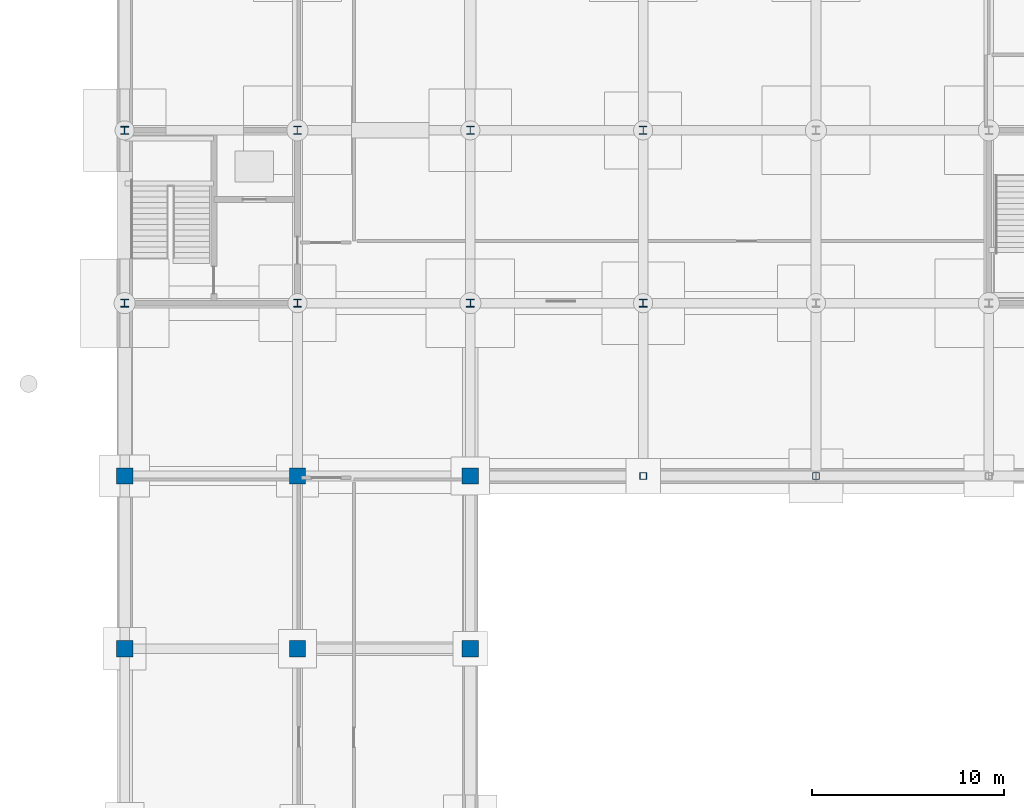
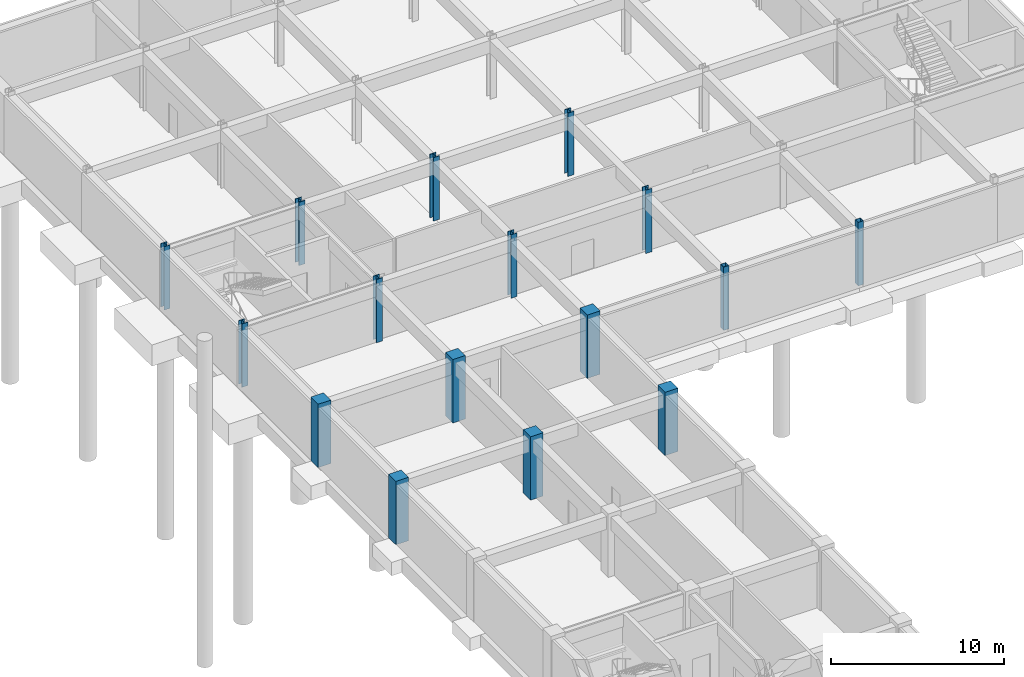
# One storey, part 9 of 41: 16 columns.
"""IFC4 building model written with IfcOpenShell, lengths in metres."""

from ifc_helpers import new_model, si_unit, direction, frame, origin, origin_2d, place, context, subcontext, project, spatial, rectangle, hollow_rectangle, i_section, extrude, material, material_profile, profile_set, type_object, element, save


model = new_model("IFC4")

# Units and contexts
model_context = context("Model", 3, precision=1e-05, world=origin(), true_north=direction((0.0, 1.0)))
body_context = subcontext(model_context, "Body", "Model", "MODEL_VIEW")
ifc_project = project(units=[si_unit("LENGTHUNIT", "METRE"), si_unit("AREAUNIT", "SQUARE_METRE"), si_unit("VOLUMEUNIT", "CUBIC_METRE"), si_unit("PLANEANGLEUNIT", "RADIAN"), si_unit("MASSUNIT", "GRAM", prefix="KILO")], contexts=[model_context])

# Site, building, storey
site_placement = place(None, origin())
site = spatial("IfcSite", under=ifc_project, at=site_placement, CompositionType="ELEMENT")
building_placement = place(site_placement, origin())
building = spatial("IfcBuilding", under=site, at=building_placement, Name="Palais des Congres Ocreval", CompositionType="ELEMENT")
storey_placement = place(building_placement, frame((0.0, 0.0, -8.9599609375)))
storey = spatial("IfcBuildingStorey", under=building, at=storey_placement, Name="B2", CompositionType="ELEMENT", Elevation=-8.9599609375)

# Columns
ifc_material_1 = material(Name="Steel S355", Category="steel")
ifc_material_profile_1 = material_profile(ifc_material_1, i_section(OverallWidth=0.406005859375, OverallDepth=0.416015625, WebThickness=0.0224609375, FlangeThickness=0.0380859375, at=origin_2d()), Name="HD 400x382")
ifc_profile_set_1 = profile_set([ifc_material_profile_1], Name="Steel S355")
column_type_1 = type_object("IfcColumnType", Name="Column HD 400x382 Steel S355", PredefinedType="COLUMN", material=ifc_profile_set_1)
for number, where, z_axis, x_axis, name in (
    (1, (0.0, 81.0, 0.0), (0.0, 0.0, 1.0), (1.0, 0.0, 0.0), "Column C03 B2"),
    (2, (0.0, 90.0, 0.0), (0.0, 0.0, 1.0), (1.0, 0.0, 0.0), "Column C03 B2"),
    (3, (9.0, 81.0, 0.0), (0.0, 0.0, 1.0), (1.0, 0.0, 0.0), "Column C03 B2"),
    (4, (18.0, 81.0, 0.0), (0.0, 0.0, 1.0), (1.0, 0.0, 0.0), "Column C03 B2"),
    (5, (27.0, 81.0, 0.0), (0.0, 0.0, 1.0), (1.0, 0.0, 0.0), "Column C03 B2"),
):
    element("IfcColumn", number, at=place(storey_placement, frame(where, z_axis=z_axis, x_axis=x_axis)), inside=storey, type_object=column_type_1, Name=name, PredefinedType="COLUMN", context=body_context, shape_type="SweptSolid", body=[
        extrude(i_section(OverallWidth=0.406005859375, OverallDepth=0.416015625, WebThickness=0.0224609375, FlangeThickness=0.0380859375, at=origin_2d()), origin(), (0.0, 0.0, 1.0), 4.47998046875),
    ])
ifc_material_2 = material(Name="Steel S460", Category="steel")
ifc_material_profile_2 = material_profile(ifc_material_2, i_section(OverallWidth=0.412109375, OverallDepth=0.43505859375, WebThickness=0.027099609375, FlangeThickness=0.0458984375, at=origin_2d()), Name="HD 400x463")
ifc_profile_set_2 = profile_set([ifc_material_profile_2], Name="Steel S460")
column_type_2 = type_object("IfcColumnType", Name="Column HD 400x463 Steel S460", PredefinedType="COLUMN", material=ifc_profile_set_2)
for number, where, z_axis, x_axis, name in (
    (6, (9.0, 90.0, 0.0), (0.0, 0.0, 1.0), (1.0, 0.0, 0.0), "Column C02 B2"),
    (7, (18.0, 90.0, 0.0), (0.0, 0.0, 1.0), (1.0, 0.0, 0.0), "Column C02 B2"),
    (8, (27.0, 90.0, 0.0), (0.0, 0.0, 1.0), (1.0, 0.0, 0.0), "Column C02 B2"),
):
    element("IfcColumn", number, at=place(storey_placement, frame(where, z_axis=z_axis, x_axis=x_axis)), inside=storey, type_object=column_type_2, Name=name, PredefinedType="COLUMN", context=body_context, shape_type="SweptSolid", body=[
        extrude(i_section(OverallWidth=0.412109375, OverallDepth=0.43505859375, WebThickness=0.027099609375, FlangeThickness=0.0458984375, at=origin_2d()), origin(), (0.0, 0.0, 1.0), 4.47998046875),
    ])
ifc_material_3 = material(Name="Concrete C40/50", Category="concrete")
ifc_material_profile_3 = material_profile(ifc_material_3, rectangle(XDim=0.85009765625, YDim=0.85009765625, at=origin_2d()), Name="RC 850x850")
ifc_profile_set_3 = profile_set([ifc_material_profile_3], Name="Concrete C40/50")
column_type_3 = type_object("IfcColumnType", Name="Column RC 850x850 Concrete C40/50", PredefinedType="COLUMN", material=ifc_profile_set_3)
for number, where, z_axis, x_axis, name in (
    (9, (0.0, 63.0, 0.0), (0.0, 0.0, 1.0), (1.0, 0.0, 0.0), "Column C21 B2"),
    (10, (0.0, 72.0, 0.0), (0.0, 0.0, 1.0), (1.0, 0.0, 0.0), "Column C21 B2"),
    (11, (9.0, 63.0, 0.0), (0.0, 0.0, 1.0), (1.0, 0.0, 0.0), "Column C21 B2"),
    (12, (9.0, 72.0, 0.0), (0.0, 0.0, 1.0), (1.0, 0.0, 0.0), "Column C21 B2"),
    (13, (18.0, 63.0, 0.0), (0.0, 0.0, 1.0), (1.0, 0.0, 0.0), "Column C21 B2"),
    (14, (18.0, 72.0, 0.0), (0.0, 0.0, 1.0), (1.0, 0.0, 0.0), "Column C21 B2"),
):
    element("IfcColumn", number, at=place(storey_placement, frame(where, z_axis=z_axis, x_axis=x_axis)), inside=storey, type_object=column_type_3, Name=name, PredefinedType="COLUMN", context=body_context, shape_type="SweptSolid", body=[
        extrude(rectangle(XDim=0.85009765625, YDim=0.85009765625, at=origin_2d()), origin(), (0.0, 0.0, 1.0), 4.47998046875),
    ])
ifc_material_profile_4 = material_profile(ifc_material_1, hollow_rectangle(XDim=0.35009765625, YDim=0.35009765625, WallThickness=0.01611328125, at=origin_2d()), Name="RHS 350x350x16")
ifc_profile_set_4 = profile_set([ifc_material_profile_4], Name="Steel S355")
column_type_4 = type_object("IfcColumnType", Name="Column RHS 350x350x16 Steel S355", PredefinedType="COLUMN", material=ifc_profile_set_4)
for number, where, z_axis, x_axis, name in (
    (15, (27.0, 72.0, 0.0), (0.0, 0.0, 1.0), (1.0, 0.0, 0.0), "Column C18 B2"),
    (16, (36.0, 72.0, 0.0), (0.0, 0.0, 1.0), (1.0, 0.0, 0.0), "Column C18 B2"),
):
    element("IfcColumn", number, at=place(storey_placement, frame(where, z_axis=z_axis, x_axis=x_axis)), inside=storey, type_object=column_type_4, Name=name, PredefinedType="COLUMN", context=body_context, shape_type="SweptSolid", body=[
        extrude(hollow_rectangle(XDim=0.35009765625, YDim=0.35009765625, WallThickness=0.01611328125, at=origin_2d()), origin(), (0.0, 0.0, 1.0), 4.47998046875),
    ])

save(model, "model.ifc")
